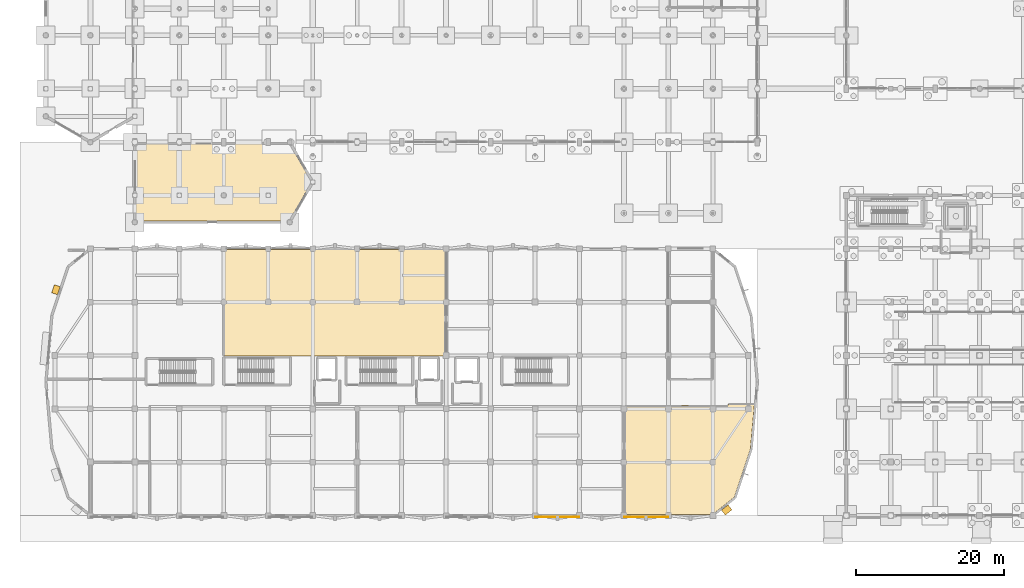
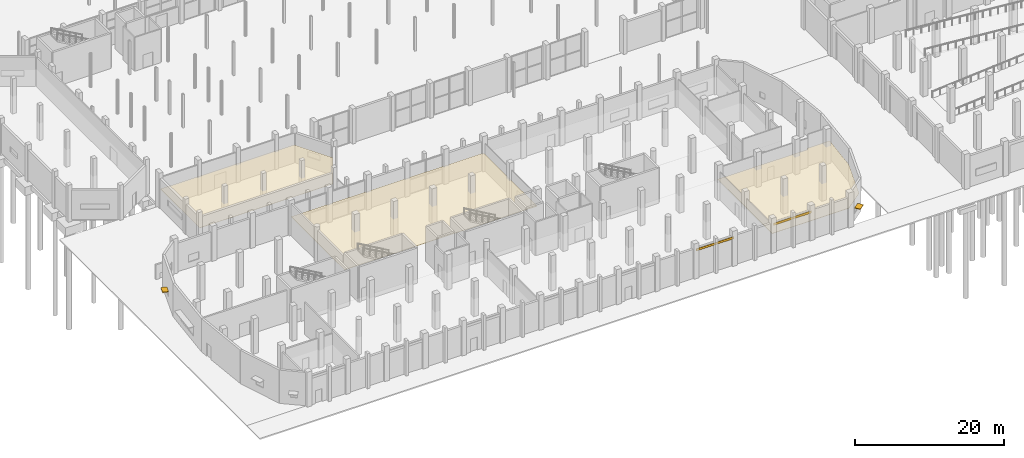
# One storey, part 91 of 103: 5 coverings, 2 shading devices.
"""IFC4 building model written with IfcOpenShell, lengths in metres."""

from ifc_helpers import new_model, si_unit, direction, frame, origin, origin_2d, place, context, subcontext, project, spatial, polyline, rectangle, outline, extrude, material, layer, layer_set, type_object, element, save


model = new_model("IFC4")

# Units and contexts
model_context = context("Model", 3, precision=1e-05, world=origin(), true_north=direction((0.0, 1.0)))
body_context = subcontext(model_context, "Body", "Model", "MODEL_VIEW")
ifc_project = project(units=[si_unit("LENGTHUNIT", "METRE"), si_unit("AREAUNIT", "SQUARE_METRE"), si_unit("VOLUMEUNIT", "CUBIC_METRE"), si_unit("PLANEANGLEUNIT", "RADIAN"), si_unit("MASSUNIT", "GRAM", prefix="KILO")], contexts=[model_context])

# Site, building, storey
site_placement = place(None, origin())
site = spatial("IfcSite", under=ifc_project, at=site_placement, CompositionType="ELEMENT")
building_placement = place(site_placement, origin())
building = spatial("IfcBuilding", under=site, at=building_placement, Name="Dunvalen Ferry Terminal", CompositionType="ELEMENT")
storey_placement = place(building_placement, origin())
storey = spatial("IfcBuildingStorey", under=building, at=storey_placement, Name="L00", CompositionType="ELEMENT", Elevation=0.0)

# Coverings
ifc_material_1 = material(Name="Anodised marine aluminium fascia cladding", Category="aluminium")
ifc_layer_1 = layer(ifc_material_1, 0.050048828125, Name="Anodised marine aluminium fascia cladding")
ifc_layer_set_1 = layer_set([ifc_layer_1], Name="Anodised marine aluminium fascia cladding")
covering_type_1 = type_object("IfcCoveringType", Name="ENV-COV-CLD01", PredefinedType="CLADDING", material=ifc_layer_set_1)
for number, where, z_axis, x_axis, name in (
    (1, (69.0, -0.18408203125, 4.35986328125), (0.0, 0.0, 1.0), (1.0, 0.0, 0.0), "L00 Streamline Speed-Line Fascia Band 006"),
    (2, (81.0, -0.18408203125, 4.35986328125), (0.0, 0.0, 1.0), (1.0, 0.0, 0.0), "L00 Streamline Speed-Line Fascia Band 007"),
):
    element("IfcCovering", number, at=place(storey_placement, frame(where, z_axis=z_axis, x_axis=x_axis)), inside=storey, type_object=covering_type_1, Name=name, PredefinedType="CLADDING", context=body_context, shape_type="SweptSolid", body=[
        extrude(rectangle(XDim=5.89990234375, YDim=0.050048828125, at=origin_2d()), origin(), (0.0, 0.0, 1.0), 0.360107421875),
    ])

# Shading devices
ifc_material_2 = material(Name="Anodised marine aluminium EN AW-6063 T6", Category="aluminium")
ifc_layer_2 = layer(ifc_material_2, 0.090087890625, Name="Anodised marine aluminium EN AW-6063 T6")
ifc_layer_set_2 = layer_set([ifc_layer_2], Name="Anodised marine aluminium EN AW-6063 T6")
shading_device_type = type_object("IfcShadingDeviceType", Name="ENV-SHD-AWN01", PredefinedType="AWNING", material=ifc_layer_set_2)
for number, where, z_axis, x_axis, name in (
    (3, (91.864013671875, 0.7529296875, 2.03515625), (0.0, 0.0, 1.0), (0.779409252356, 0.626515137361, 0.0), "L00 Streamline Brise-Soleil Eyebrow 001"),
    (4, (1.3505859375, 30.47802734375, 2.03515625), (0.0, 0.0, 1.0), (-0.316232085723, -0.948681858138, 0.0), "L00 Streamline Brise-Soleil Eyebrow 005"),
):
    element("IfcShadingDevice", number, at=place(storey_placement, frame(where, z_axis=z_axis, x_axis=x_axis)), inside=storey, type_object=shading_device_type, Name=name, PredefinedType="AWNING", context=body_context, shape_type="SweptSolid", body=[
        extrude(rectangle(XDim=1.14990234375, YDim=0.85009765625, at=origin_2d()), origin(), (0.0, 0.0, 1.0), 0.090087890625),
    ])

# Coverings
ifc_material_3 = material(Name="Moisture-resistant mineral-fibre acoustic ceiling", Category="gypsum")
ifc_layer_3 = layer(ifc_material_3, 0.050048828125, Name="Moisture-resistant mineral-fibre acoustic ceiling")
ifc_layer_set_3 = layer_set([ifc_layer_3], Name="Moisture-resistant mineral-fibre acoustic ceiling")
covering_type_2 = type_object("IfcCoveringType", Name="INT-COV-CLG02", PredefinedType="CEILING", material=ifc_layer_set_3)
covering_1_placement = place(storey_placement, frame((0.0, 0.0, 2.800048828125)))
element("IfcCovering", 5, at=covering_1_placement, inside=storey, type_object=covering_type_2, Name="L00 Passenger Security Screening Hall Acoustic Suspended Ceiling", PredefinedType="CEILING", context=body_context, shape_type="SweptSolid", body=[
    extrude(outline(polyline([(12.1298828125, 39.72998046875), (32.807373046875, 39.72998046875), (35.849853515625, 45.0), (32.807373046875, 50.27001953125), (12.1298828125, 50.27001953125), (12.1298828125, 39.72998046875)])), origin(), (0.0, 0.0, 1.0), 0.050048828125),
])
covering_2_placement = place(storey_placement, frame((0.0, 0.0, 2.800048828125)))
element("IfcCovering", 6, at=covering_2_placement, inside=storey, type_object=covering_type_2, Name="L00 Harbour Reception and Passenger Assistance Lounge Acoustic Suspended Ceiling", PredefinedType="CEILING", context=body_context, shape_type="SweptSolid", body=[
    extrude(outline(polyline([(78.070068359375, 0.1298828125), (89.9541015625, 0.1298828125), (92.888671875, 2.48876953125), (95.068115234375, 9.026611328125), (95.609619140625, 15.090087890625), (92.0791015625, 15.090087890625), (92.05615234375, 14.876220703125), (91.98828125, 14.830810546875), (78.070068359375, 14.830078125), (78.070068359375, 0.1298828125)])), origin(), (0.0, 0.0, 1.0), 0.050048828125),
])
covering_3_placement = place(storey_placement, frame((0.0, 0.0, 2.800048828125)))
element("IfcCovering", 7, at=covering_3_placement, inside=storey, type_object=covering_type_2, Name="L00 Maritime Border Police and Customs Briefing Suite Acoustic Suspended Ceiling", PredefinedType="CEILING", context=body_context, shape_type="SweptSolid", body=[
    extrude(outline(polyline([(24.070068359375, 35.8701171875), (24.070068359375, 21.52001953125), (53.929931640625, 21.510009765625), (53.929931640625, 35.8701171875), (24.070068359375, 35.8701171875)])), origin(), (0.0, 0.0, 1.0), 0.050048828125),
])

save(model, "model.ifc")
